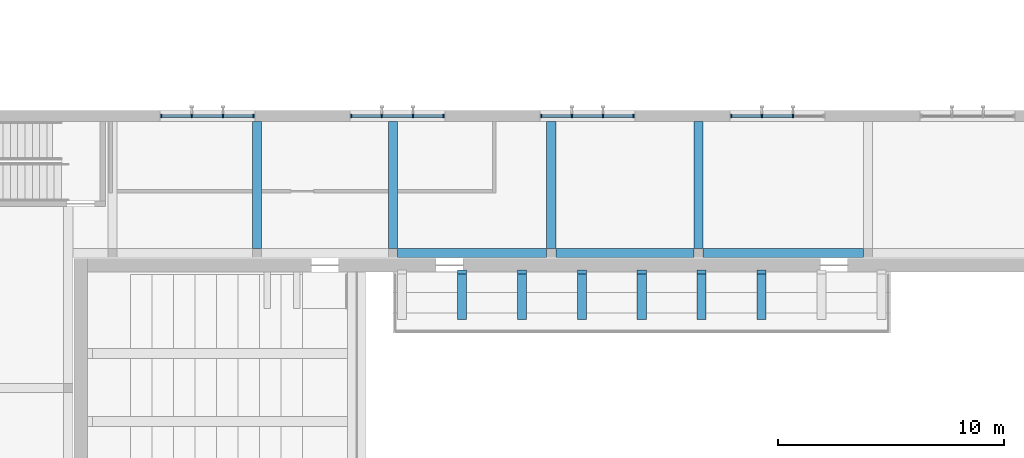
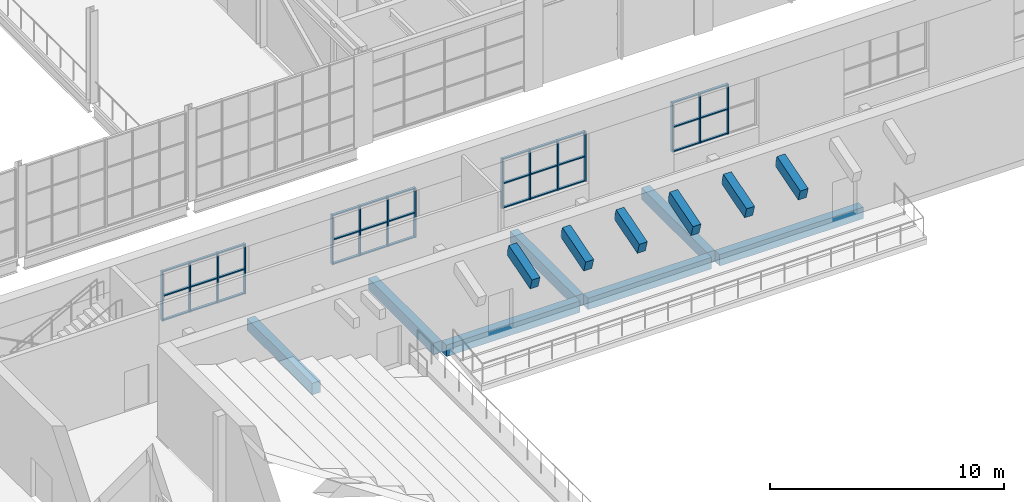
# One storey, part 34 of 127: 48 members, 13 beams, 4 elements without a shape of their own.
"""IFC4 building model written with IfcOpenShell, lengths in metres."""

from ifc_helpers import new_model, si_unit, direction, frame, origin, origin_2d, place, context, subcontext, project, spatial, rectangle, extrude, material, material_profile, profile_set, type_object, element, aggregate, save


model = new_model("IFC4")

# Units and contexts
model_context = context("Model", 3, precision=1e-05, world=origin(), true_north=direction((0.0, 1.0)))
body_context = subcontext(model_context, "Body", "Model", "MODEL_VIEW")
ifc_project = project(units=[si_unit("LENGTHUNIT", "METRE"), si_unit("AREAUNIT", "SQUARE_METRE"), si_unit("VOLUMEUNIT", "CUBIC_METRE"), si_unit("PLANEANGLEUNIT", "RADIAN"), si_unit("MASSUNIT", "GRAM", prefix="KILO")], contexts=[model_context])

# Site, building, storey
site_placement = place(None, origin())
site = spatial("IfcSite", under=ifc_project, at=site_placement, CompositionType="ELEMENT")
building_placement = place(site_placement, origin())
building = spatial("IfcBuilding", under=site, at=building_placement, Name="Ljudholm Concert House", CompositionType="ELEMENT")
storey_placement = place(building_placement, frame((0.0, 0.0, 5.39990234375)))
storey = spatial("IfcBuildingStorey", under=building, at=storey_placement, Name="L01", CompositionType="ELEMENT", Elevation=5.39990234375)

# Curtain wall, members
ifc_material_1 = material(Name="Aluminium curtain wall with impact-rated laminated glass", Category="aluminium")
curtain_wall_type = type_object("IfcCurtainWallType", Name="CURTAIN WALL 1400", PredefinedType="NOTDEFINED", material=ifc_material_1)
curtain_wall_1_placement = place(storey_placement, origin())
curtain_wall_1 = element("IfcCurtainWall", 1, at=curtain_wall_1_placement, inside=storey, type_object=curtain_wall_type, Name="Promenade curtain wall", PredefinedType="NOTDEFINED")
ifc_material_2 = material(Name="Aluminium extrusion", Category="aluminium")
ifc_material_profile_1 = material_profile(ifc_material_2, rectangle(XDim=0.159912109375, YDim=0.06005859375, at=origin_2d()), Name="MULLION 60x160")
ifc_profile_set_1 = profile_set([ifc_material_profile_1], Name="Aluminium extrusion")
member_type_1 = type_object("IfcMemberType", Name="MULLION 60x160", PredefinedType="MULLION", material=ifc_profile_set_1)
member_1_placement = place(storey_placement, frame((39.760009765625, 96.39990234375, 0.900146484375), z_axis=(0.0, 0.0, 1.0), x_axis=(0.0, 1.0, 0.0)))
member_1 = element("IfcMember", 2, at=member_1_placement, type_object=member_type_1, Name="Mullion", PredefinedType="MULLION", context=body_context, shape_type="SweptSolid", body=[
    extrude(rectangle(XDim=0.159912109375, YDim=0.06005859375, at=origin_2d()), origin(), (0.0, 0.0, 1.0), 2.599853515625),
])
member_2_placement = place(storey_placement, frame((41.110107421875, 96.39990234375, 0.900146484375), z_axis=(0.0, 0.0, 1.0), x_axis=(0.0, 1.0, 0.0)))
member_2 = element("IfcMember", 3, at=member_2_placement, type_object=member_type_1, Name="Mullion", PredefinedType="MULLION", context=body_context, shape_type="SweptSolid", body=[
    extrude(rectangle(XDim=0.159912109375, YDim=0.06005859375, at=origin_2d()), origin(), (0.0, 0.0, 1.0), 2.599853515625),
])
member_3_placement = place(storey_placement, frame((42.489990234375, 96.39990234375, 0.900146484375), z_axis=(0.0, 0.0, 1.0), x_axis=(0.0, 1.0, 0.0)))
member_3 = element("IfcMember", 4, at=member_3_placement, type_object=member_type_1, Name="Mullion", PredefinedType="MULLION", context=body_context, shape_type="SweptSolid", body=[
    extrude(rectangle(XDim=0.159912109375, YDim=0.06005859375, at=origin_2d()), origin(), (0.0, 0.0, 1.0), 2.599853515625),
])
member_4_placement = place(storey_placement, frame((43.840087890625, 96.39990234375, 0.900146484375), z_axis=(0.0, 0.0, 1.0), x_axis=(0.0, 1.0, 0.0)))
member_4 = element("IfcMember", 5, at=member_4_placement, type_object=member_type_1, Name="Mullion", PredefinedType="MULLION", context=body_context, shape_type="SweptSolid", body=[
    extrude(rectangle(XDim=0.159912109375, YDim=0.06005859375, at=origin_2d()), origin(), (0.0, 0.0, 1.0), 2.599853515625),
])

curtain_wall_2_placement = place(storey_placement, origin())
curtain_wall_2 = element("IfcCurtainWall", 6, at=curtain_wall_2_placement, inside=storey, type_object=curtain_wall_type, Name="Promenade curtain wall", PredefinedType="NOTDEFINED")
member_5_placement = place(storey_placement, frame((48.159912109375, 96.39990234375, 0.900146484375), z_axis=(0.0, 0.0, 1.0), x_axis=(0.0, 1.0, 0.0)))
member_5 = element("IfcMember", 7, at=member_5_placement, type_object=member_type_1, Name="Mullion", PredefinedType="MULLION", context=body_context, shape_type="SweptSolid", body=[
    extrude(rectangle(XDim=0.159912109375, YDim=0.06005859375, at=origin_2d()), origin(), (0.0, 0.0, 1.0), 2.599853515625),
])
member_6_placement = place(storey_placement, frame((49.510009765625, 96.39990234375, 0.900146484375), z_axis=(0.0, 0.0, 1.0), x_axis=(0.0, 1.0, 0.0)))
member_6 = element("IfcMember", 8, at=member_6_placement, type_object=member_type_1, Name="Mullion", PredefinedType="MULLION", context=body_context, shape_type="SweptSolid", body=[
    extrude(rectangle(XDim=0.159912109375, YDim=0.06005859375, at=origin_2d()), origin(), (0.0, 0.0, 1.0), 2.599853515625),
])
member_7_placement = place(storey_placement, frame((50.889892578125, 96.39990234375, 0.900146484375), z_axis=(0.0, 0.0, 1.0), x_axis=(0.0, 1.0, 0.0)))
member_7 = element("IfcMember", 9, at=member_7_placement, type_object=member_type_1, Name="Mullion", PredefinedType="MULLION", context=body_context, shape_type="SweptSolid", body=[
    extrude(rectangle(XDim=0.159912109375, YDim=0.06005859375, at=origin_2d()), origin(), (0.0, 0.0, 1.0), 2.599853515625),
])
member_8_placement = place(storey_placement, frame((52.239990234375, 96.39990234375, 0.900146484375), z_axis=(0.0, 0.0, 1.0), x_axis=(0.0, 1.0, 0.0)))
member_8 = element("IfcMember", 10, at=member_8_placement, type_object=member_type_1, Name="Mullion", PredefinedType="MULLION", context=body_context, shape_type="SweptSolid", body=[
    extrude(rectangle(XDim=0.159912109375, YDim=0.06005859375, at=origin_2d()), origin(), (0.0, 0.0, 1.0), 2.599853515625),
])

curtain_wall_3_placement = place(storey_placement, origin())
curtain_wall_3 = element("IfcCurtainWall", 11, at=curtain_wall_3_placement, inside=storey, type_object=curtain_wall_type, Name="Promenade curtain wall", PredefinedType="NOTDEFINED")
member_9_placement = place(storey_placement, frame((56.56005859375, 96.39990234375, 0.900146484375), z_axis=(0.0, 0.0, 1.0), x_axis=(0.0, 1.0, 0.0)))
member_9 = element("IfcMember", 12, at=member_9_placement, type_object=member_type_1, Name="Mullion", PredefinedType="MULLION", context=body_context, shape_type="SweptSolid", body=[
    extrude(rectangle(XDim=0.159912109375, YDim=0.06005859375, at=origin_2d()), origin(), (0.0, 0.0, 1.0), 2.599853515625),
])
member_10_placement = place(storey_placement, frame((57.909912109375, 96.39990234375, 0.900146484375), z_axis=(0.0, 0.0, 1.0), x_axis=(0.0, 1.0, 0.0)))
member_10 = element("IfcMember", 13, at=member_10_placement, type_object=member_type_1, Name="Mullion", PredefinedType="MULLION", context=body_context, shape_type="SweptSolid", body=[
    extrude(rectangle(XDim=0.159912109375, YDim=0.06005859375, at=origin_2d()), origin(), (0.0, 0.0, 1.0), 2.599853515625),
])
member_11_placement = place(storey_placement, frame((59.2900390625, 96.39990234375, 0.900146484375), z_axis=(0.0, 0.0, 1.0), x_axis=(0.0, 1.0, 0.0)))
member_11 = element("IfcMember", 14, at=member_11_placement, type_object=member_type_1, Name="Mullion", PredefinedType="MULLION", context=body_context, shape_type="SweptSolid", body=[
    extrude(rectangle(XDim=0.159912109375, YDim=0.06005859375, at=origin_2d()), origin(), (0.0, 0.0, 1.0), 2.599853515625),
])
member_12_placement = place(storey_placement, frame((60.639892578125, 96.39990234375, 0.900146484375), z_axis=(0.0, 0.0, 1.0), x_axis=(0.0, 1.0, 0.0)))
member_12 = element("IfcMember", 15, at=member_12_placement, type_object=member_type_1, Name="Mullion", PredefinedType="MULLION", context=body_context, shape_type="SweptSolid", body=[
    extrude(rectangle(XDim=0.159912109375, YDim=0.06005859375, at=origin_2d()), origin(), (0.0, 0.0, 1.0), 2.599853515625),
])

curtain_wall_4_placement = place(storey_placement, origin())
curtain_wall_4 = element("IfcCurtainWall", 16, at=curtain_wall_4_placement, inside=storey, type_object=curtain_wall_type, Name="Promenade curtain wall", PredefinedType="NOTDEFINED")
member_13_placement = place(storey_placement, frame((64.9599609375, 96.39990234375, 0.900146484375), z_axis=(0.0, 0.0, 1.0), x_axis=(0.0, 1.0, 0.0)))
member_13 = element("IfcMember", 17, at=member_13_placement, type_object=member_type_1, Name="Mullion", PredefinedType="MULLION", context=body_context, shape_type="SweptSolid", body=[
    extrude(rectangle(XDim=0.159912109375, YDim=0.06005859375, at=origin_2d()), origin(), (0.0, 0.0, 1.0), 2.599853515625),
])
member_14_placement = place(storey_placement, frame((66.31005859375, 96.39990234375, 0.900146484375), z_axis=(0.0, 0.0, 1.0), x_axis=(0.0, 1.0, 0.0)))
member_14 = element("IfcMember", 18, at=member_14_placement, type_object=member_type_1, Name="Mullion", PredefinedType="MULLION", context=body_context, shape_type="SweptSolid", body=[
    extrude(rectangle(XDim=0.159912109375, YDim=0.06005859375, at=origin_2d()), origin(), (0.0, 0.0, 1.0), 2.599853515625),
])
member_15_placement = place(storey_placement, frame((67.68994140625, 96.39990234375, 0.900146484375), z_axis=(0.0, 0.0, 1.0), x_axis=(0.0, 1.0, 0.0)))
member_15 = element("IfcMember", 19, at=member_15_placement, type_object=member_type_1, Name="Mullion", PredefinedType="MULLION", context=body_context, shape_type="SweptSolid", body=[
    extrude(rectangle(XDim=0.159912109375, YDim=0.06005859375, at=origin_2d()), origin(), (0.0, 0.0, 1.0), 2.599853515625),
])

# Beams
ifc_material_3 = material(Name="Concrete 6,500 psi", Category="concrete")
ifc_material_profile_2 = material_profile(ifc_material_3, rectangle(XDim=0.39990234375, YDim=0.60009765625, at=origin_2d()), Name="RC BEAM 400x600")
ifc_profile_set_2 = profile_set([ifc_material_profile_2], Name="Concrete 6,500 psi")
beam_type_1 = type_object("IfcBeamType", Name="RC BEAM 400x600", PredefinedType="BEAM", material=ifc_profile_set_2)
beam_1_placement = place(storey_placement, frame((50.199951171875, 90.35009765625, -0.5498046875), z_axis=(1.0, 0.0, 0.0), x_axis=(0.0, 1.0, 0.0)))
element("IfcBeam", 20, at=beam_1_placement, inside=storey, type_object=beam_type_1, Name="Ring beam", PredefinedType="BEAM", context=body_context, shape_type="SweptSolid", body=[
    extrude(rectangle(XDim=0.39990234375, YDim=0.60009765625, at=origin_2d()), origin(), (0.0, 0.0, 1.0), 6.60009765625),
])
beam_2_placement = place(storey_placement, frame((57.199951171875, 90.35009765625, -0.5498046875), z_axis=(1.0, 0.0, 0.0), x_axis=(0.0, 1.0, 0.0)))
element("IfcBeam", 21, at=beam_2_placement, inside=storey, type_object=beam_type_1, Name="Ring beam", PredefinedType="BEAM", context=body_context, shape_type="SweptSolid", body=[
    extrude(rectangle(XDim=0.39990234375, YDim=0.60009765625, at=origin_2d()), origin(), (0.0, 0.0, 1.0), 6.10009765625),
])
beam_3_placement = place(storey_placement, frame((63.699951171875, 90.35009765625, -0.5498046875), z_axis=(1.0, 0.0, 0.0), x_axis=(0.0, 1.0, 0.0)))
element("IfcBeam", 22, at=beam_3_placement, inside=storey, type_object=beam_type_1, Name="Ring beam", PredefinedType="BEAM", context=body_context, shape_type="SweptSolid", body=[
    extrude(rectangle(XDim=0.39990234375, YDim=0.60009765625, at=origin_2d()), origin(), (0.0, 0.0, 1.0), 7.10009765625),
])
for number, where, z_axis, x_axis, name in (
    (23, (44.0, 90.550048828125, -0.5498046875), (0.0, 1.0, 0.0), (-1.0, 0.0, 0.0), "Ring cross beam"),
    (24, (50.0, 90.550048828125, -0.5498046875), (0.0, 1.0, 0.0), (-1.0, 0.0, 0.0), "Ring cross beam"),
    (25, (57.0, 90.550048828125, -0.5498046875), (0.0, 1.0, 0.0), (-1.0, 0.0, 0.0), "Ring cross beam"),
    (26, (63.5, 90.550048828125, -0.5498046875), (0.0, 1.0, 0.0), (-1.0, 0.0, 0.0), "Ring cross beam"),
):
    element("IfcBeam", number, at=place(storey_placement, frame(where, z_axis=z_axis, x_axis=x_axis)), inside=storey, type_object=beam_type_1, Name=name, PredefinedType="BEAM", context=body_context, shape_type="SweptSolid", body=[
        extrude(rectangle(XDim=0.39990234375, YDim=0.60009765625, at=origin_2d()), origin(), (0.0, 0.0, 1.0), 5.599853515625),
    ])
ifc_material_4 = material(Name="Concrete 6,500 psi", Category="concrete")
ifc_material_profile_3 = material_profile(ifc_material_4, rectangle(XDim=0.39990234375, YDim=0.60009765625, at=origin_2d()), Name="RC BEAM 400x600 BEAM")
ifc_profile_set_3 = profile_set([ifc_material_profile_3], Name="Concrete 6,500 psi")
beam_type_2 = type_object("IfcBeamType", Name="RC BEAM 400x600 BEAM", PredefinedType="BEAM", material=ifc_profile_set_3)
for number, where, z_axis, x_axis, name in (
    (27, (53.050048828125, 87.5, 3.60009765625), (0.0, 0.957813412269, 0.287390791914), (-1.0, 0.0, 0.0), "Gallery bracket beam"),
    (28, (55.699951171875, 87.5, 3.60009765625), (0.0, 0.957813412269, 0.287390791914), (-1.0, 0.0, 0.0), "Gallery bracket beam"),
    (29, (58.35009765625, 87.5, 3.60009765625), (0.0, 0.957813412269, 0.287390791914), (-1.0, 0.0, 0.0), "Gallery bracket beam"),
    (30, (61.0, 87.5, 3.60009765625), (0.0, 0.957813412269, 0.287390791914), (-1.0, 0.0, 0.0), "Gallery bracket beam"),
    (31, (63.64990234375, 87.5, 3.60009765625), (0.0, 0.957813412269, 0.287390791914), (-1.0, 0.0, 0.0), "Gallery bracket beam"),
    (32, (66.300048828125, 87.5, 3.60009765625), (0.0, 0.957813412269, 0.287390791914), (-1.0, 0.0, 0.0), "Gallery bracket beam"),
):
    element("IfcBeam", number, at=place(storey_placement, frame(where, z_axis=z_axis, x_axis=x_axis)), inside=storey, type_object=beam_type_2, Name=name, PredefinedType="BEAM", context=body_context, shape_type="SweptSolid", body=[
        extrude(rectangle(XDim=0.39990234375, YDim=0.60009765625, at=origin_2d()), origin(), (0.0, 0.0, 1.0), 2.088134765625),
    ])

# Member
ifc_material_5 = material(Name="Aluminium extrusion", Category="aluminium")
ifc_material_profile_4 = material_profile(ifc_material_5, rectangle(XDim=0.1201171875, YDim=0.06005859375, at=origin_2d()), Name="TRANSOM 60x120")
ifc_profile_set_4 = profile_set([ifc_material_profile_4], Name="Aluminium extrusion")
member_type_2 = type_object("IfcMemberType", Name="TRANSOM 60x120", PredefinedType="USERDEFINED", material=ifc_profile_set_4)
member_16_placement = place(storey_placement, frame((39.7900390625, 96.39990234375, 0.93017578125), z_axis=(1.0, 0.0, 0.0), x_axis=(0.0, 1.0, 0.0)))
member_16 = element("IfcMember", 33, at=member_16_placement, type_object=member_type_2, Name="Transom", ObjectType="TRANSOM", PredefinedType="USERDEFINED", context=body_context, shape_type="SweptSolid", body=[
    extrude(rectangle(XDim=0.1201171875, YDim=0.06005859375, at=origin_2d()), origin(), (0.0, 0.0, 1.0), 1.2900390625),
])

member_17_placement = place(storey_placement, frame((39.7900390625, 96.39990234375, 2.2001953125), z_axis=(1.0, 0.0, 0.0), x_axis=(0.0, 1.0, 0.0)))
member_17 = element("IfcMember", 34, at=member_17_placement, type_object=member_type_2, Name="Transom", ObjectType="TRANSOM", PredefinedType="USERDEFINED", context=body_context, shape_type="SweptSolid", body=[
    extrude(rectangle(XDim=0.1201171875, YDim=0.06005859375, at=origin_2d()), origin(), (0.0, 0.0, 1.0), 1.2900390625),
])

member_18_placement = place(storey_placement, frame((39.7900390625, 96.39990234375, 3.47021484375), z_axis=(1.0, 0.0, 0.0), x_axis=(0.0, 1.0, 0.0)))
member_18 = element("IfcMember", 35, at=member_18_placement, type_object=member_type_2, Name="Transom", ObjectType="TRANSOM", PredefinedType="USERDEFINED", context=body_context, shape_type="SweptSolid", body=[
    extrude(rectangle(XDim=0.1201171875, YDim=0.06005859375, at=origin_2d()), origin(), (0.0, 0.0, 1.0), 1.2900390625),
])

member_19_placement = place(storey_placement, frame((41.139892578125, 96.39990234375, 0.93017578125), z_axis=(1.0, 0.0, 0.0), x_axis=(0.0, 1.0, 0.0)))
member_19 = element("IfcMember", 36, at=member_19_placement, type_object=member_type_2, Name="Transom", ObjectType="TRANSOM", PredefinedType="USERDEFINED", context=body_context, shape_type="SweptSolid", body=[
    extrude(rectangle(XDim=0.1201171875, YDim=0.06005859375, at=origin_2d()), origin(), (0.0, 0.0, 1.0), 1.320068359375),
])

member_20_placement = place(storey_placement, frame((41.139892578125, 96.39990234375, 2.2001953125), z_axis=(1.0, 0.0, 0.0), x_axis=(0.0, 1.0, 0.0)))
member_20 = element("IfcMember", 37, at=member_20_placement, type_object=member_type_2, Name="Transom", ObjectType="TRANSOM", PredefinedType="USERDEFINED", context=body_context, shape_type="SweptSolid", body=[
    extrude(rectangle(XDim=0.1201171875, YDim=0.06005859375, at=origin_2d()), origin(), (0.0, 0.0, 1.0), 1.320068359375),
])

member_21_placement = place(storey_placement, frame((41.139892578125, 96.39990234375, 3.47021484375), z_axis=(1.0, 0.0, 0.0), x_axis=(0.0, 1.0, 0.0)))
member_21 = element("IfcMember", 38, at=member_21_placement, type_object=member_type_2, Name="Transom", ObjectType="TRANSOM", PredefinedType="USERDEFINED", context=body_context, shape_type="SweptSolid", body=[
    extrude(rectangle(XDim=0.1201171875, YDim=0.06005859375, at=origin_2d()), origin(), (0.0, 0.0, 1.0), 1.320068359375),
])

member_22_placement = place(storey_placement, frame((42.52001953125, 96.39990234375, 0.93017578125), z_axis=(1.0, 0.0, 0.0), x_axis=(0.0, 1.0, 0.0)))
member_22 = element("IfcMember", 39, at=member_22_placement, type_object=member_type_2, Name="Transom", ObjectType="TRANSOM", PredefinedType="USERDEFINED", context=body_context, shape_type="SweptSolid", body=[
    extrude(rectangle(XDim=0.1201171875, YDim=0.06005859375, at=origin_2d()), origin(), (0.0, 0.0, 1.0), 1.2900390625),
])

member_23_placement = place(storey_placement, frame((42.52001953125, 96.39990234375, 2.2001953125), z_axis=(1.0, 0.0, 0.0), x_axis=(0.0, 1.0, 0.0)))
member_23 = element("IfcMember", 40, at=member_23_placement, type_object=member_type_2, Name="Transom", ObjectType="TRANSOM", PredefinedType="USERDEFINED", context=body_context, shape_type="SweptSolid", body=[
    extrude(rectangle(XDim=0.1201171875, YDim=0.06005859375, at=origin_2d()), origin(), (0.0, 0.0, 1.0), 1.2900390625),
])

member_24_placement = place(storey_placement, frame((42.52001953125, 96.39990234375, 3.47021484375), z_axis=(1.0, 0.0, 0.0), x_axis=(0.0, 1.0, 0.0)))
member_24 = element("IfcMember", 41, at=member_24_placement, type_object=member_type_2, Name="Transom", ObjectType="TRANSOM", PredefinedType="USERDEFINED", context=body_context, shape_type="SweptSolid", body=[
    extrude(rectangle(XDim=0.1201171875, YDim=0.06005859375, at=origin_2d()), origin(), (0.0, 0.0, 1.0), 1.2900390625),
])

aggregate(curtain_wall_1, [member_1, member_2, member_3, member_4, member_16, member_17, member_18, member_19, member_20, member_21, member_22, member_23, member_24])

member_25_placement = place(storey_placement, frame((48.18994140625, 96.39990234375, 0.93017578125), z_axis=(1.0, 0.0, 0.0), x_axis=(0.0, 1.0, 0.0)))
member_25 = element("IfcMember", 42, at=member_25_placement, type_object=member_type_2, Name="Transom", ObjectType="TRANSOM", PredefinedType="USERDEFINED", context=body_context, shape_type="SweptSolid", body=[
    extrude(rectangle(XDim=0.1201171875, YDim=0.06005859375, at=origin_2d()), origin(), (0.0, 0.0, 1.0), 1.2900390625),
])

member_26_placement = place(storey_placement, frame((48.18994140625, 96.39990234375, 2.2001953125), z_axis=(1.0, 0.0, 0.0), x_axis=(0.0, 1.0, 0.0)))
member_26 = element("IfcMember", 43, at=member_26_placement, type_object=member_type_2, Name="Transom", ObjectType="TRANSOM", PredefinedType="USERDEFINED", context=body_context, shape_type="SweptSolid", body=[
    extrude(rectangle(XDim=0.1201171875, YDim=0.06005859375, at=origin_2d()), origin(), (0.0, 0.0, 1.0), 1.2900390625),
])

member_27_placement = place(storey_placement, frame((48.18994140625, 96.39990234375, 3.47021484375), z_axis=(1.0, 0.0, 0.0), x_axis=(0.0, 1.0, 0.0)))
member_27 = element("IfcMember", 44, at=member_27_placement, type_object=member_type_2, Name="Transom", ObjectType="TRANSOM", PredefinedType="USERDEFINED", context=body_context, shape_type="SweptSolid", body=[
    extrude(rectangle(XDim=0.1201171875, YDim=0.06005859375, at=origin_2d()), origin(), (0.0, 0.0, 1.0), 1.2900390625),
])

member_28_placement = place(storey_placement, frame((49.5400390625, 96.39990234375, 0.93017578125), z_axis=(1.0, 0.0, 0.0), x_axis=(0.0, 1.0, 0.0)))
member_28 = element("IfcMember", 45, at=member_28_placement, type_object=member_type_2, Name="Transom", ObjectType="TRANSOM", PredefinedType="USERDEFINED", context=body_context, shape_type="SweptSolid", body=[
    extrude(rectangle(XDim=0.1201171875, YDim=0.06005859375, at=origin_2d()), origin(), (0.0, 0.0, 1.0), 1.320068359375),
])

member_29_placement = place(storey_placement, frame((49.5400390625, 96.39990234375, 2.2001953125), z_axis=(1.0, 0.0, 0.0), x_axis=(0.0, 1.0, 0.0)))
member_29 = element("IfcMember", 46, at=member_29_placement, type_object=member_type_2, Name="Transom", ObjectType="TRANSOM", PredefinedType="USERDEFINED", context=body_context, shape_type="SweptSolid", body=[
    extrude(rectangle(XDim=0.1201171875, YDim=0.06005859375, at=origin_2d()), origin(), (0.0, 0.0, 1.0), 1.320068359375),
])

member_30_placement = place(storey_placement, frame((49.5400390625, 96.39990234375, 3.47021484375), z_axis=(1.0, 0.0, 0.0), x_axis=(0.0, 1.0, 0.0)))
member_30 = element("IfcMember", 47, at=member_30_placement, type_object=member_type_2, Name="Transom", ObjectType="TRANSOM", PredefinedType="USERDEFINED", context=body_context, shape_type="SweptSolid", body=[
    extrude(rectangle(XDim=0.1201171875, YDim=0.06005859375, at=origin_2d()), origin(), (0.0, 0.0, 1.0), 1.320068359375),
])

member_31_placement = place(storey_placement, frame((50.919921875, 96.39990234375, 0.93017578125), z_axis=(1.0, 0.0, 0.0), x_axis=(0.0, 1.0, 0.0)))
member_31 = element("IfcMember", 48, at=member_31_placement, type_object=member_type_2, Name="Transom", ObjectType="TRANSOM", PredefinedType="USERDEFINED", context=body_context, shape_type="SweptSolid", body=[
    extrude(rectangle(XDim=0.1201171875, YDim=0.06005859375, at=origin_2d()), origin(), (0.0, 0.0, 1.0), 1.2900390625),
])

member_32_placement = place(storey_placement, frame((50.919921875, 96.39990234375, 2.2001953125), z_axis=(1.0, 0.0, 0.0), x_axis=(0.0, 1.0, 0.0)))
member_32 = element("IfcMember", 49, at=member_32_placement, type_object=member_type_2, Name="Transom", ObjectType="TRANSOM", PredefinedType="USERDEFINED", context=body_context, shape_type="SweptSolid", body=[
    extrude(rectangle(XDim=0.1201171875, YDim=0.06005859375, at=origin_2d()), origin(), (0.0, 0.0, 1.0), 1.2900390625),
])

member_33_placement = place(storey_placement, frame((50.919921875, 96.39990234375, 3.47021484375), z_axis=(1.0, 0.0, 0.0), x_axis=(0.0, 1.0, 0.0)))
member_33 = element("IfcMember", 50, at=member_33_placement, type_object=member_type_2, Name="Transom", ObjectType="TRANSOM", PredefinedType="USERDEFINED", context=body_context, shape_type="SweptSolid", body=[
    extrude(rectangle(XDim=0.1201171875, YDim=0.06005859375, at=origin_2d()), origin(), (0.0, 0.0, 1.0), 1.2900390625),
])

aggregate(curtain_wall_2, [member_5, member_6, member_7, member_8, member_25, member_26, member_27, member_28, member_29, member_30, member_31, member_32, member_33])

member_34_placement = place(storey_placement, frame((56.590087890625, 96.39990234375, 0.93017578125), z_axis=(1.0, 0.0, 0.0), x_axis=(0.0, 1.0, 0.0)))
member_34 = element("IfcMember", 51, at=member_34_placement, type_object=member_type_2, Name="Transom", ObjectType="TRANSOM", PredefinedType="USERDEFINED", context=body_context, shape_type="SweptSolid", body=[
    extrude(rectangle(XDim=0.1201171875, YDim=0.06005859375, at=origin_2d()), origin(), (0.0, 0.0, 1.0), 1.289794921875),
])

member_35_placement = place(storey_placement, frame((56.590087890625, 96.39990234375, 2.2001953125), z_axis=(1.0, 0.0, 0.0), x_axis=(0.0, 1.0, 0.0)))
member_35 = element("IfcMember", 52, at=member_35_placement, type_object=member_type_2, Name="Transom", ObjectType="TRANSOM", PredefinedType="USERDEFINED", context=body_context, shape_type="SweptSolid", body=[
    extrude(rectangle(XDim=0.1201171875, YDim=0.06005859375, at=origin_2d()), origin(), (0.0, 0.0, 1.0), 1.289794921875),
])

member_36_placement = place(storey_placement, frame((56.590087890625, 96.39990234375, 3.47021484375), z_axis=(1.0, 0.0, 0.0), x_axis=(0.0, 1.0, 0.0)))
member_36 = element("IfcMember", 53, at=member_36_placement, type_object=member_type_2, Name="Transom", ObjectType="TRANSOM", PredefinedType="USERDEFINED", context=body_context, shape_type="SweptSolid", body=[
    extrude(rectangle(XDim=0.1201171875, YDim=0.06005859375, at=origin_2d()), origin(), (0.0, 0.0, 1.0), 1.289794921875),
])

member_37_placement = place(storey_placement, frame((57.93994140625, 96.39990234375, 0.93017578125), z_axis=(1.0, 0.0, 0.0), x_axis=(0.0, 1.0, 0.0)))
member_37 = element("IfcMember", 54, at=member_37_placement, type_object=member_type_2, Name="Transom", ObjectType="TRANSOM", PredefinedType="USERDEFINED", context=body_context, shape_type="SweptSolid", body=[
    extrude(rectangle(XDim=0.1201171875, YDim=0.06005859375, at=origin_2d()), origin(), (0.0, 0.0, 1.0), 1.320068359375),
])

member_38_placement = place(storey_placement, frame((57.93994140625, 96.39990234375, 2.2001953125), z_axis=(1.0, 0.0, 0.0), x_axis=(0.0, 1.0, 0.0)))
member_38 = element("IfcMember", 55, at=member_38_placement, type_object=member_type_2, Name="Transom", ObjectType="TRANSOM", PredefinedType="USERDEFINED", context=body_context, shape_type="SweptSolid", body=[
    extrude(rectangle(XDim=0.1201171875, YDim=0.06005859375, at=origin_2d()), origin(), (0.0, 0.0, 1.0), 1.320068359375),
])

member_39_placement = place(storey_placement, frame((57.93994140625, 96.39990234375, 3.47021484375), z_axis=(1.0, 0.0, 0.0), x_axis=(0.0, 1.0, 0.0)))
member_39 = element("IfcMember", 56, at=member_39_placement, type_object=member_type_2, Name="Transom", ObjectType="TRANSOM", PredefinedType="USERDEFINED", context=body_context, shape_type="SweptSolid", body=[
    extrude(rectangle(XDim=0.1201171875, YDim=0.06005859375, at=origin_2d()), origin(), (0.0, 0.0, 1.0), 1.320068359375),
])

member_40_placement = place(storey_placement, frame((59.320068359375, 96.39990234375, 0.93017578125), z_axis=(1.0, 0.0, 0.0), x_axis=(0.0, 1.0, 0.0)))
member_40 = element("IfcMember", 57, at=member_40_placement, type_object=member_type_2, Name="Transom", ObjectType="TRANSOM", PredefinedType="USERDEFINED", context=body_context, shape_type="SweptSolid", body=[
    extrude(rectangle(XDim=0.1201171875, YDim=0.06005859375, at=origin_2d()), origin(), (0.0, 0.0, 1.0), 1.2900390625),
])

member_41_placement = place(storey_placement, frame((59.320068359375, 96.39990234375, 2.2001953125), z_axis=(1.0, 0.0, 0.0), x_axis=(0.0, 1.0, 0.0)))
member_41 = element("IfcMember", 58, at=member_41_placement, type_object=member_type_2, Name="Transom", ObjectType="TRANSOM", PredefinedType="USERDEFINED", context=body_context, shape_type="SweptSolid", body=[
    extrude(rectangle(XDim=0.1201171875, YDim=0.06005859375, at=origin_2d()), origin(), (0.0, 0.0, 1.0), 1.2900390625),
])

member_42_placement = place(storey_placement, frame((59.320068359375, 96.39990234375, 3.47021484375), z_axis=(1.0, 0.0, 0.0), x_axis=(0.0, 1.0, 0.0)))
member_42 = element("IfcMember", 59, at=member_42_placement, type_object=member_type_2, Name="Transom", ObjectType="TRANSOM", PredefinedType="USERDEFINED", context=body_context, shape_type="SweptSolid", body=[
    extrude(rectangle(XDim=0.1201171875, YDim=0.06005859375, at=origin_2d()), origin(), (0.0, 0.0, 1.0), 1.2900390625),
])

aggregate(curtain_wall_3, [member_9, member_10, member_11, member_12, member_34, member_35, member_36, member_37, member_38, member_39, member_40, member_41, member_42])

member_43_placement = place(storey_placement, frame((64.989990234375, 96.39990234375, 0.93017578125), z_axis=(1.0, 0.0, 0.0), x_axis=(0.0, 1.0, 0.0)))
member_43 = element("IfcMember", 60, at=member_43_placement, type_object=member_type_2, Name="Transom", ObjectType="TRANSOM", PredefinedType="USERDEFINED", context=body_context, shape_type="SweptSolid", body=[
    extrude(rectangle(XDim=0.1201171875, YDim=0.06005859375, at=origin_2d()), origin(), (0.0, 0.0, 1.0), 1.2900390625),
])

member_44_placement = place(storey_placement, frame((64.989990234375, 96.39990234375, 2.2001953125), z_axis=(1.0, 0.0, 0.0), x_axis=(0.0, 1.0, 0.0)))
member_44 = element("IfcMember", 61, at=member_44_placement, type_object=member_type_2, Name="Transom", ObjectType="TRANSOM", PredefinedType="USERDEFINED", context=body_context, shape_type="SweptSolid", body=[
    extrude(rectangle(XDim=0.1201171875, YDim=0.06005859375, at=origin_2d()), origin(), (0.0, 0.0, 1.0), 1.2900390625),
])

member_45_placement = place(storey_placement, frame((64.989990234375, 96.39990234375, 3.47021484375), z_axis=(1.0, 0.0, 0.0), x_axis=(0.0, 1.0, 0.0)))
member_45 = element("IfcMember", 62, at=member_45_placement, type_object=member_type_2, Name="Transom", ObjectType="TRANSOM", PredefinedType="USERDEFINED", context=body_context, shape_type="SweptSolid", body=[
    extrude(rectangle(XDim=0.1201171875, YDim=0.06005859375, at=origin_2d()), origin(), (0.0, 0.0, 1.0), 1.2900390625),
])

member_46_placement = place(storey_placement, frame((66.340087890625, 96.39990234375, 0.93017578125), z_axis=(1.0, 0.0, 0.0), x_axis=(0.0, 1.0, 0.0)))
member_46 = element("IfcMember", 63, at=member_46_placement, type_object=member_type_2, Name="Transom", ObjectType="TRANSOM", PredefinedType="USERDEFINED", context=body_context, shape_type="SweptSolid", body=[
    extrude(rectangle(XDim=0.1201171875, YDim=0.06005859375, at=origin_2d()), origin(), (0.0, 0.0, 1.0), 1.31982421875),
])

member_47_placement = place(storey_placement, frame((66.340087890625, 96.39990234375, 2.2001953125), z_axis=(1.0, 0.0, 0.0), x_axis=(0.0, 1.0, 0.0)))
member_47 = element("IfcMember", 64, at=member_47_placement, type_object=member_type_2, Name="Transom", ObjectType="TRANSOM", PredefinedType="USERDEFINED", context=body_context, shape_type="SweptSolid", body=[
    extrude(rectangle(XDim=0.1201171875, YDim=0.06005859375, at=origin_2d()), origin(), (0.0, 0.0, 1.0), 1.31982421875),
])

member_48_placement = place(storey_placement, frame((66.340087890625, 96.39990234375, 3.47021484375), z_axis=(1.0, 0.0, 0.0), x_axis=(0.0, 1.0, 0.0)))
member_48 = element("IfcMember", 65, at=member_48_placement, type_object=member_type_2, Name="Transom", ObjectType="TRANSOM", PredefinedType="USERDEFINED", context=body_context, shape_type="SweptSolid", body=[
    extrude(rectangle(XDim=0.1201171875, YDim=0.06005859375, at=origin_2d()), origin(), (0.0, 0.0, 1.0), 1.31982421875),
])

aggregate(curtain_wall_4, [member_13, member_14, member_15, member_43, member_44, member_45, member_46, member_47, member_48])

save(model, "model.ifc")
